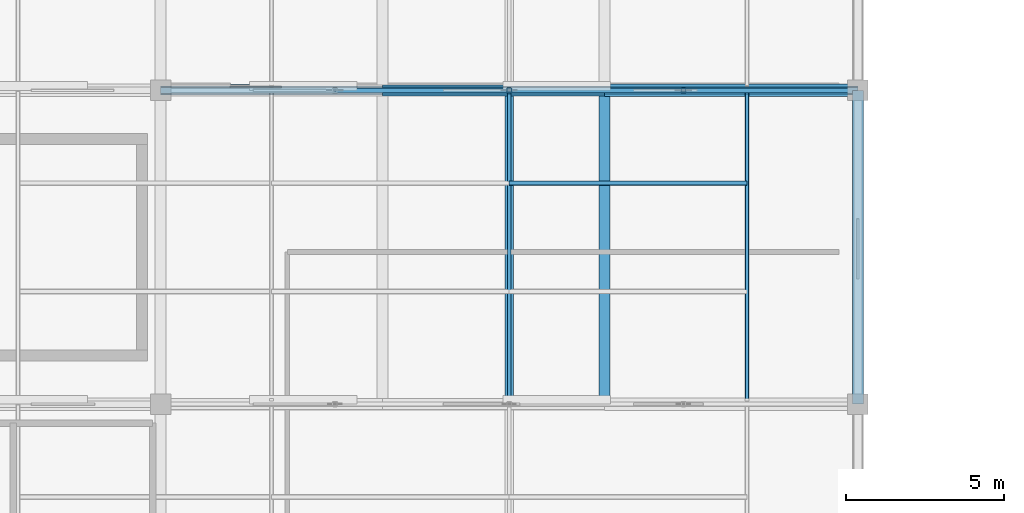
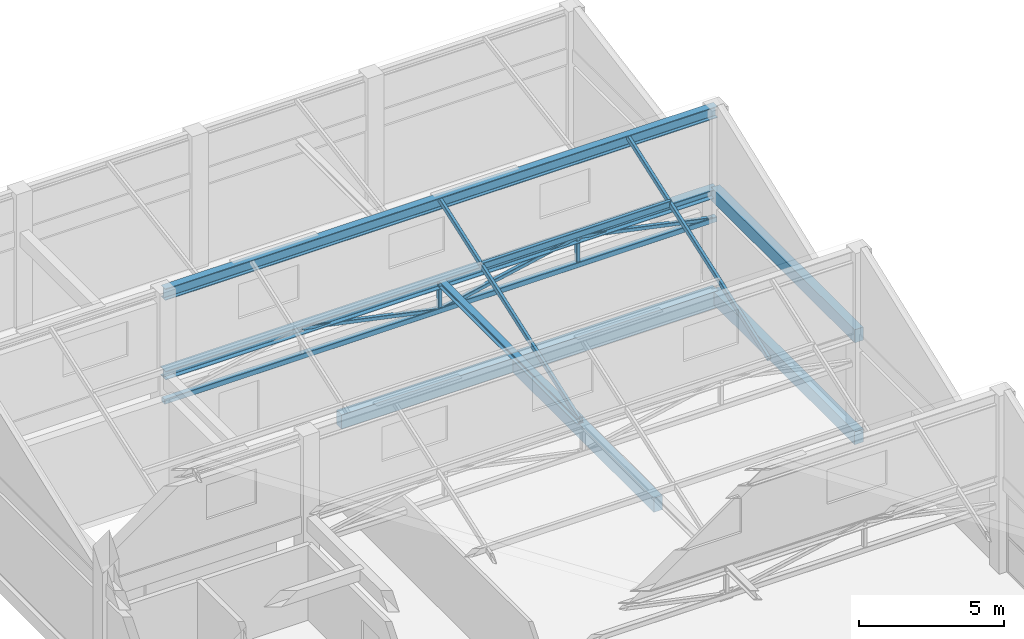
# One storey, part 24 of 35: 9 members, 8 beams.
"""IFC4 building model written with IfcOpenShell, lengths in metres."""

from ifc_helpers import new_model, si_unit, direction, frame, origin, origin_2d, place, context, subcontext, project, spatial, rectangle, hollow_rectangle, i_section, extrude, material, material_profile, profile_set, type_object, element, save


model = new_model("IFC4")

# Units and contexts
model_context = context("Model", 3, precision=1e-05, world=origin(), true_north=direction((0.0, 1.0)))
body_context = subcontext(model_context, "Body", "Model", "MODEL_VIEW")
ifc_project = project(units=[si_unit("LENGTHUNIT", "METRE"), si_unit("AREAUNIT", "SQUARE_METRE"), si_unit("VOLUMEUNIT", "CUBIC_METRE"), si_unit("PLANEANGLEUNIT", "RADIAN"), si_unit("MASSUNIT", "GRAM", prefix="KILO")], contexts=[model_context])

# Site, building, storey
site_placement = place(None, origin())
site = spatial("IfcSite", under=ifc_project, at=site_placement, CompositionType="ELEMENT")
building_placement = place(site_placement, origin())
building = spatial("IfcBuilding", under=site, at=building_placement, Name="Sillaruma Civic Art Gallery", CompositionType="ELEMENT")
storey_placement = place(building_placement, frame((0.0, 0.0, 74.4599609375)))
storey = spatial("IfcBuildingStorey", under=building, at=storey_placement, Name="L15", CompositionType="ELEMENT", Elevation=74.4599609375)

# Beams
ifc_material_1 = material(Name="Concrete H35 (35 MPa)", Category="concrete")
ifc_material_profile_1 = material_profile(ifc_material_1, rectangle(XDim=0.35009765625, YDim=0.60009765625, at=origin_2d()), Name="RCB350x600")
ifc_profile_set_1 = profile_set([ifc_material_profile_1], Name="Concrete H35 (35 MPa)")
beam_type_1 = type_object("IfcBeamType", Name="BM-BEAM-RCB350x600", PredefinedType="BEAM", material=ifc_profile_set_1)
beam_1_placement = place(storey_placement, frame((77.0, 89.10009765625, -0.550048828125), z_axis=(1.0, 0.0, 0.0), x_axis=(0.0, 1.0, 0.0)))
element("IfcBeam", 1, at=beam_1_placement, inside=storey, type_object=beam_type_1, Name="Beam BM-06 (L14:10:H-J)", PredefinedType="BEAM", context=body_context, shape_type="SweptSolid", body=[
    extrude(rectangle(XDim=0.35009765625, YDim=0.60009765625, at=origin_2d()), origin(), (0.0, 0.0, 1.0), 7.0),
])
beam_2_placement = place(storey_placement, frame((84.0, 79.199951171875, -0.550048828125), z_axis=(0.0, 1.0, 0.0), x_axis=(-1.0, 0.0, 0.0)))
element("IfcBeam", 2, at=beam_2_placement, inside=storey, type_object=beam_type_1, Name="Beam BM-06 (L14:J:9-10)", PredefinedType="BEAM", context=body_context, shape_type="SweptSolid", body=[
    extrude(rectangle(XDim=0.35009765625, YDim=0.60009765625, at=origin_2d()), origin(), (0.0, 0.0, 1.0), 9.900146484375),
])
ifc_material_profile_2 = material_profile(ifc_material_1, rectangle(XDim=0.39990234375, YDim=0.699951171875, at=origin_2d()), Name="RCB400x700")
ifc_profile_set_2 = profile_set([ifc_material_profile_2], Name="Concrete H35 (35 MPa)")
beam_type_2 = type_object("IfcBeamType", Name="BM-BEAM-RCB400x700", PredefinedType="BEAM", material=ifc_profile_set_2)
beam_3_placement = place(storey_placement, frame((84.0, 89.10009765625, -0.599853515625), z_axis=(1.0, 0.0, 0.0), x_axis=(0.0, 1.0, 0.0)))
element("IfcBeam", 3, at=beam_3_placement, inside=storey, type_object=beam_type_2, Name="Beam BM-04 (L14:10:J-K)", PredefinedType="BEAM", context=body_context, shape_type="SweptSolid", body=[
    extrude(rectangle(XDim=0.39990234375, YDim=0.699951171875, at=origin_2d()), origin(), (0.0, 0.0, 1.0), 8.0),
])
ifc_material_2 = material(Name="Structural Steel ASTM A992 Gr.50", Category="steel")
ifc_material_profile_3 = material_profile(ifc_material_2, i_section(OverallWidth=0.256103515625, OverallDepth=0.260009765625, WebThickness=0.0107421875, FlangeThickness=0.017333984375, FilletRadius=0.012939453125, at=origin_2d()), Name="W250x89")
ifc_profile_set_3 = profile_set([ifc_material_profile_3], Name="Structural Steel ASTM A992 Gr.50")
beam_type_3 = type_object("IfcBeamType", Name="BM-RJOIST-W250x89", PredefinedType="JOIST", material=ifc_profile_set_3)
beam_4_placement = place(storey_placement, frame((81.0, 79.385498046875, 3.91015625), z_axis=(0.0, 1.0, 0.0), x_axis=(-1.0, 0.0, 0.0)))
element("IfcBeam", 4, at=beam_4_placement, inside=storey, type_object=beam_type_3, Name="Long-Span Gallery Joist JSR-04 (L15:9-10)", PredefinedType="JOIST", context=body_context, shape_type="SweptSolid", body=[
    extrude(i_section(OverallWidth=0.256103515625, OverallDepth=0.260009765625, WebThickness=0.0107421875, FlangeThickness=0.017333984375, FilletRadius=0.012939453125, at=origin_2d()), origin(), (0.0, 0.0, 1.0), 9.529052734375),
])
ifc_material_profile_4 = material_profile(ifc_material_1, rectangle(XDim=0.35009765625, YDim=0.550048828125, at=origin_2d()), Name="RCB350x550")
ifc_profile_set_4 = profile_set([ifc_material_profile_4], Name="Concrete H35 (35 MPa)")
beam_type_4 = type_object("IfcBeamType", Name="BM-ROF-RCB350x550", PredefinedType="SPANDREL", material=ifc_profile_set_4)
beam_5_placement = place(storey_placement, frame((92.0, 79.199951171875, 3.76513671875), z_axis=(0.0, 1.0, 0.0), x_axis=(-1.0, 0.0, 0.0)))
element("IfcBeam", 5, at=beam_5_placement, inside=storey, type_object=beam_type_4, Name="Beam BSR-04 (L15:K:9-10)", PredefinedType="SPANDREL", context=body_context, shape_type="SweptSolid", body=[
    extrude(rectangle(XDim=0.35009765625, YDim=0.550048828125, at=origin_2d()), origin(), (0.0, 0.0, 1.0), 9.900146484375),
])
ifc_material_profile_5 = material_profile(ifc_material_2, i_section(OverallWidth=0.282958984375, OverallDepth=0.489013671875, WebThickness=0.01708984375, FlangeThickness=0.030517578125, FilletRadius=0.014892578125, at=origin_2d()), Name="W460x193")
ifc_profile_set_5 = profile_set([ifc_material_profile_5], Name="Structural Steel ASTM A992 Gr.50")
beam_type_5 = type_object("IfcBeamType", Name="BM-SAW-W460x193", PredefinedType="BEAM", material=ifc_profile_set_5)
beam_6_placement = place(storey_placement, frame((70.0, 89.10009765625, 7.239990234375), z_axis=(1.0, 0.0, 0.0), x_axis=(0.0, 1.0, 0.0)))
element("IfcBeam", 6, at=beam_6_placement, inside=storey, type_object=beam_type_5, Name="Sawtooth Ridge Steel Girder (5)", PredefinedType="BEAM", context=body_context, shape_type="SweptSolid", body=[
    extrude(i_section(OverallWidth=0.282958984375, OverallDepth=0.489013671875, WebThickness=0.01708984375, FlangeThickness=0.030517578125, FilletRadius=0.014892578125, at=origin_2d()), origin(), (0.0, 0.0, 1.0), 22.0),
])
ifc_material_profile_6 = material_profile(ifc_material_1, rectangle(XDim=0.35009765625, YDim=0.550048828125, at=origin_2d()), Name="RCB350x550")
ifc_profile_set_6 = profile_set([ifc_material_profile_6], Name="Concrete H35 (35 MPa)")
beam_type_6 = type_object("IfcBeamType", Name="BM-SPANDREL-RCB350x550", PredefinedType="SPANDREL", material=ifc_profile_set_6)
beam_7_placement = place(storey_placement, frame((92.0, 79.199951171875, -0.52490234375), z_axis=(0.0, 1.0, 0.0), x_axis=(-1.0, 0.0, 0.0)))
element("IfcBeam", 7, at=beam_7_placement, inside=storey, type_object=beam_type_6, Name="Beam BS-04 (L14:K:9-10)", PredefinedType="SPANDREL", context=body_context, shape_type="SweptSolid", body=[
    extrude(rectangle(XDim=0.35009765625, YDim=0.550048828125, at=origin_2d()), origin(), (0.0, 0.0, 1.0), 9.900146484375),
])
ifc_material_profile_7 = material_profile(ifc_material_2, i_section(OverallWidth=0.37109375, OverallDepth=0.364013671875, WebThickness=0.01318359375, FlangeThickness=0.021728515625, FilletRadius=0.014892578125, at=origin_2d()), Name="W360x162")
ifc_profile_set_7 = profile_set([ifc_material_profile_7], Name="Structural Steel ASTM A992 Gr.50")
beam_type_7 = type_object("IfcBeamType", Name="BM-TRROF-W360x162", PredefinedType="BEAM", material=ifc_profile_set_7)
beam_8_placement = place(storey_placement, frame((70.0, 89.10009765625, 3.858154296875), z_axis=(1.0, 0.0, 0.0), x_axis=(0.0, 1.0, 0.0)))
element("IfcBeam", 8, at=beam_8_placement, inside=storey, type_object=beam_type_7, Name="Warren Truss Top Chord TR-L15-6", PredefinedType="BEAM", context=body_context, shape_type="SweptSolid", body=[
    extrude(i_section(OverallWidth=0.37109375, OverallDepth=0.364013671875, WebThickness=0.01318359375, FlangeThickness=0.021728515625, FilletRadius=0.014892578125, at=origin_2d()), origin(), (0.0, 0.0, 1.0), 22.0),
])

# Members
ifc_material_3 = material(Name="Structural Steel ASTM A500 Gr.C", Category="steel")
ifc_material_profile_8 = material_profile(ifc_material_3, hollow_rectangle(XDim=0.14990234375, YDim=0.14990234375, WallThickness=0.010009765625, InnerFilletRadius=0.010009765625, OuterFilletRadius=0.02001953125, at=origin_2d()), Name="HSS150x150x10")
ifc_profile_set_8 = profile_set([ifc_material_profile_8], Name="Structural Steel ASTM A500 Gr.C")
member_type_1 = type_object("IfcMemberType", Name="MEM-BRACE-HSS150x150x10", PredefinedType="BRACE", material=ifc_profile_set_8)
for number, where, z_axis, x_axis, name in (
    (9, (75.5, 89.10009765625, 3.858154296875), (0.978538722809, 0.0, -0.206063019398), (0.0, 1.0, 0.0), "Warren Truss Diagonal TR-L15-6-D2"),
    (10, (81.0, 89.10009765625, 2.699951171875), (0.978538722809, 0.0, 0.206063019398), (0.0, 1.0, 0.0), "Warren Truss Diagonal TR-L15-6-D3"),
    (11, (86.5, 89.10009765625, 3.858154296875), (0.978538722809, 0.0, -0.206063019398), (0.0, 1.0, 0.0), "Warren Truss Diagonal TR-L15-6-D4"),
):
    element("IfcMember", number, at=place(storey_placement, frame(where, z_axis=z_axis, x_axis=x_axis)), inside=storey, type_object=member_type_1, Name=name, PredefinedType="BRACE", context=body_context, shape_type="SweptSolid", body=[
        extrude(hollow_rectangle(XDim=0.14990234375, YDim=0.14990234375, WallThickness=0.010009765625, InnerFilletRadius=0.010009765625, OuterFilletRadius=0.02001953125, at=origin_2d()), origin(), (0.0, 0.0, 1.0), 5.62060546875),
    ])
ifc_material_profile_9 = material_profile(ifc_material_3, hollow_rectangle(XDim=0.219970703125, YDim=0.219970703125, WallThickness=0.012451171875, InnerFilletRadius=0.012451171875, OuterFilletRadius=0.02490234375, at=origin_2d()), Name="HSS220x220x12.5")
ifc_profile_set_9 = profile_set([ifc_material_profile_9], Name="Structural Steel ASTM A500 Gr.C")
member_type_2 = type_object("IfcMemberType", Name="MEM-CHORD-HSS220x220x12.5", PredefinedType="CHORD", material=ifc_profile_set_9)
member_1_placement = place(storey_placement, frame((70.0, 89.10009765625, 2.699951171875), z_axis=(1.0, 0.0, 0.0), x_axis=(0.0, 1.0, 0.0)))
element("IfcMember", 12, at=member_1_placement, inside=storey, type_object=member_type_2, Name="Warren Truss Bottom Chord TR-L15-6", PredefinedType="CHORD", context=body_context, shape_type="SweptSolid", body=[
    extrude(hollow_rectangle(XDim=0.219970703125, YDim=0.219970703125, WallThickness=0.012451171875, InnerFilletRadius=0.012451171875, OuterFilletRadius=0.02490234375, at=origin_2d()), origin(), (0.0, 0.0, 1.0), 22.0),
])
ifc_material_profile_10 = material_profile(ifc_material_3, hollow_rectangle(XDim=0.14990234375, YDim=0.14990234375, WallThickness=0.010009765625, InnerFilletRadius=0.010009765625, OuterFilletRadius=0.02001953125, at=origin_2d()), Name="HSS150x150x10")
ifc_profile_set_10 = profile_set([ifc_material_profile_10], Name="Structural Steel ASTM A500 Gr.C")
member_type_3 = type_object("IfcMemberType", Name="MEM-POST-HSS150x150x10", PredefinedType="POST", material=ifc_profile_set_10)
for number, where, z_axis, x_axis, name in (
    (13, (81.0, 89.10009765625, 2.699951171875), (0.0, 0.0, 1.0), (1.0, 0.0, 0.0), "Warren Truss Vertical Post TR-L15-6-V2"),
    (14, (86.5, 89.10009765625, 2.699951171875), (0.0, 0.0, 1.0), (1.0, 0.0, 0.0), "Warren Truss Vertical Post TR-L15-6-V3"),
):
    element("IfcMember", number, at=place(storey_placement, frame(where, z_axis=z_axis, x_axis=x_axis)), inside=storey, type_object=member_type_3, Name=name, PredefinedType="POST", context=body_context, shape_type="SweptSolid", body=[
        extrude(hollow_rectangle(XDim=0.14990234375, YDim=0.14990234375, WallThickness=0.010009765625, InnerFilletRadius=0.010009765625, OuterFilletRadius=0.02001953125, at=origin_2d()), origin(), (0.0, 0.0, 1.0), 1.158203125),
    ])
ifc_material_profile_11 = material_profile(ifc_material_3, hollow_rectangle(XDim=0.14990234375, YDim=0.25, WallThickness=0.010009765625, InnerFilletRadius=0.010009765625, OuterFilletRadius=0.02001953125, at=origin_2d()), Name="HSS250x150x10")
ifc_profile_set_11 = profile_set([ifc_material_profile_11], Name="Structural Steel ASTM A500 Gr.C")
member_type_4 = type_object("IfcMemberType", Name="MEM-PUR-HSS250", PredefinedType="PURLIN", material=ifc_profile_set_11)
member_2_placement = place(storey_placement, frame((81.0, 86.172119140625, 6.322021484375), z_axis=(1.0, 0.0, 0.0), x_axis=(0.0, 1.0, 0.0)))
element("IfcMember", 15, at=member_2_placement, inside=storey, type_object=member_type_4, Name="Sawtooth Roof Steel Purlin (5.2.3)", PredefinedType="PURLIN", context=body_context, shape_type="SweptSolid", body=[
    extrude(hollow_rectangle(XDim=0.14990234375, YDim=0.25, WallThickness=0.010009765625, InnerFilletRadius=0.010009765625, OuterFilletRadius=0.02001953125, at=origin_2d()), origin(), (0.0, 0.0, 1.0), 7.5),
])
ifc_material_profile_12 = material_profile(ifc_material_3, hollow_rectangle(XDim=0.1201171875, YDim=0.199951171875, WallThickness=0.008056640625, InnerFilletRadius=0.008056640625, OuterFilletRadius=0.01611328125, at=origin_2d()), Name="HSS200x120x8")
ifc_profile_set_12 = profile_set([ifc_material_profile_12], Name="Structural Steel ASTM A500 Gr.C")
member_type_5 = type_object("IfcMemberType", Name="MEM-RAF-HSS200", PredefinedType="PURLIN", material=ifc_profile_set_12)
for number, where, z_axis, x_axis, name in (
    (16, (81.0, 79.340087890625, 3.900146484375), (0.0, 0.942527174953, 0.33412950255), (-1.0, 0.0, 0.0), "Sawtooth Sloped Steel Rafter (5-C)"),
    (17, (88.5, 79.340087890625, 3.900146484375), (0.0, 0.942527174953, 0.33412950255), (-1.0, 0.0, 0.0), "Sawtooth Sloped Steel Rafter (5-E)"),
):
    element("IfcMember", number, at=place(storey_placement, frame(where, z_axis=z_axis, x_axis=x_axis)), inside=storey, type_object=member_type_5, Name=name, PredefinedType="PURLIN", context=body_context, shape_type="SweptSolid", body=[
        extrude(hollow_rectangle(XDim=0.1201171875, YDim=0.199951171875, WallThickness=0.008056640625, InnerFilletRadius=0.008056640625, OuterFilletRadius=0.01611328125, at=origin_2d()), origin(), (0.0, 0.0, 1.0), 10.355224609375),
    ])

save(model, "model.ifc")
